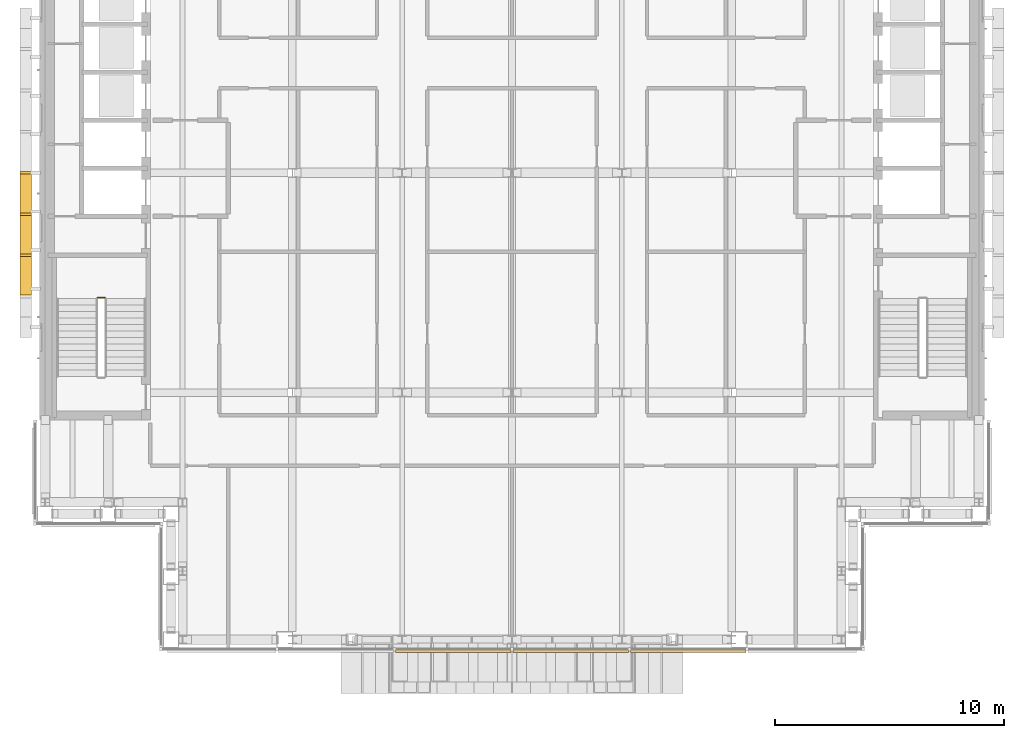
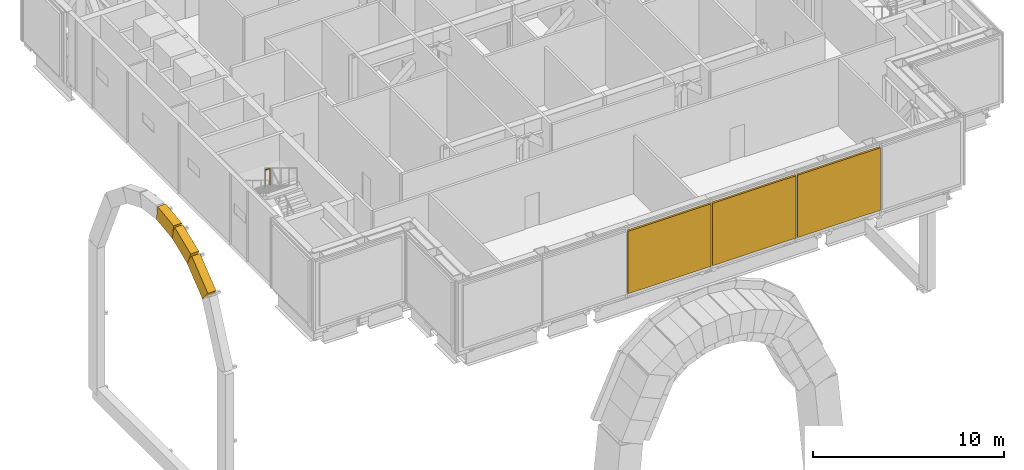
# One storey, part 18 of 26: 6 coverings, 1 railing.
"""IFC4 building model written with IfcOpenShell, lengths in metres."""

import ifcopenshell
import ifcopenshell.guid

model = None  # the IFC model being written
_history = None  # IfcOwnerHistory: only IFC2X3 demands one
_inside = {}  # id of a spatial element -> (the spatial element, [elements in it])
_under = {}  # id of a project, library or spatial element -> (it, [spatial elements below it])
_declared = {}  # id of a project -> (the project, [libraries it declares])
_typed = {}  # id of a type object -> (the type object, [elements of that type])
_made_of = {}  # id of a material, layer set ... -> (it, [elements and type objects made of it])


def new_model(schema):
    """Start an empty IFC model of exactly this schema.

    Asked for "IFC4X3", IfcOpenShell would pick the latest addendum, in which some entities
    have other attributes; the version numbers below select the first issue.
    IFC2X3 requires an IfcOwnerHistory on every rooted entity: one is made here for all.
    """
    global model, _history
    if schema == "IFC4X3":
        model = ifcopenshell.file(schema_version=(4, 3, 0, 0))
    else:
        model = ifcopenshell.file(schema=schema)
    _inside.clear()
    _under.clear()
    _declared.clear()
    _typed.clear()
    _made_of.clear()
    _history = None
    if model.schema == "IFC2X3":
        org = make("IfcOrganization", Name="unknown")
        user = make(
            "IfcPersonAndOrganization",
            ThePerson=make("IfcPerson", FamilyName="unknown"),
            TheOrganization=org,
        )
        app = make(
            "IfcApplication",
            ApplicationDeveloper=org,
            Version="unknown",
            ApplicationFullName="unknown",
            ApplicationIdentifier="unknown",
        )
        _history = make(
            "IfcOwnerHistory",
            OwningUser=user,
            OwningApplication=app,
            ChangeAction="ADDED",
            CreationDate=0,
        )
    return model


def make(cls, **values):
    """One entity of the class cls with the attributes given. An attribute that is None is left unset."""
    return model.create_entity(
        cls, **{name: value for name, value in values.items() if value is not None}
    )


def rooted(cls, **values):
    """An entity with a GlobalId (a new one), such as an element, a storey or a relation."""
    return make(cls, GlobalId=ifcopenshell.guid.new(), OwnerHistory=_history, **values)


def si_unit(unit_type, name, prefix=None):
    """IfcSIUnit, for example si_unit("LENGTHUNIT", "METRE", prefix="MILLI")."""
    return make("IfcSIUnit", UnitType=unit_type, Prefix=prefix, Name=name)


def assignment(units):
    """IfcUnitAssignment: the units of a project."""
    return None if units is None else make("IfcUnitAssignment", Units=units)


def point(xyz):
    """IfcCartesianPoint."""
    return None if xyz is None else make("IfcCartesianPoint", Coordinates=xyz)


def direction(xyz):
    """IfcDirection."""
    return None if xyz is None else make("IfcDirection", DirectionRatios=xyz)


def frame(location, z_axis=None, x_axis=None):
    """IfcAxis2Placement3D, a coordinate frame: its origin and axes. An axis left out is left unset."""
    return make(
        "IfcAxis2Placement3D",
        Location=point(location),
        Axis=direction(z_axis),
        RefDirection=direction(x_axis),
    )


def frame_2d(location, x_axis=None):
    """IfcAxis2Placement2D, a coordinate frame in the plane: its origin and x axis."""
    return make(
        "IfcAxis2Placement2D", Location=point(location), RefDirection=direction(x_axis)
    )


def origin():
    """The frame at (0, 0, 0) with its axes left unset."""
    return frame((0.0, 0.0, 0.0))


def origin_2d():
    """The frame at (0, 0) in the plane with its x axis left unset."""
    return frame_2d((0.0, 0.0))


def place(relative_to, where):
    """IfcLocalPlacement: puts the frame where relative to a parent placement (None: the world)."""
    return make(
        "IfcLocalPlacement", PlacementRelTo=relative_to, RelativePlacement=where
    )


def context(
    kind, dimensions, precision=None, world=None, true_north=None, identifier=None
):
    """IfcGeometricRepresentationContext, for example the 3D "Model" context."""
    return make(
        "IfcGeometricRepresentationContext",
        ContextIdentifier=identifier,
        ContextType=kind,
        CoordinateSpaceDimension=dimensions,
        Precision=precision,
        WorldCoordinateSystem=world,
        TrueNorth=true_north,
    )


def subcontext(parent, identifier, kind, view, scale=None):
    """IfcGeometricRepresentationSubContext, for example "Body" below "Model"."""
    return make(
        "IfcGeometricRepresentationSubContext",
        ContextIdentifier=identifier,
        ContextType=kind,
        ParentContext=parent,
        TargetScale=scale,
        TargetView=view,
    )


def project(units=None, contexts=None):
    """IfcProject with its units and contexts."""
    return rooted(
        "IfcProject",
        Name="project",
        RepresentationContexts=contexts,
        UnitsInContext=assignment(units),
    )


def spatial(cls, under=None, at=None, **own):
    """A site, building, storey or space (cls), placed at a placement, below another one or the project."""
    s = rooted(cls, ObjectPlacement=at, **own)
    if under is not None:
        _under.setdefault(under.id(), (under, []))[1].append(s)
    return s


def profile(cls, at=None, kind="AREA", **sizes):
    """A parametric profile (cls). Its sizes go by their IFC names, for example OverallWidth=200.0."""
    return make(cls, ProfileType=kind, Position=at, **sizes)


def rectangle(**sizes):
    """IfcRectangleProfileDef."""
    return profile("IfcRectangleProfileDef", **sizes)


def circle(**sizes):
    """IfcCircleProfileDef."""
    return profile("IfcCircleProfileDef", **sizes)


def extrude(swept, where, along, depth):
    """IfcExtrudedAreaSolid: the profile swept, set in the frame where, extruded along a direction by depth."""
    return make(
        "IfcExtrudedAreaSolid",
        SweptArea=swept,
        Position=where,
        ExtrudedDirection=direction(along),
        Depth=depth,
    )


def shape(context_of_items, identifier, shape_type, items):
    """IfcShapeRepresentation: the items that make up one representation, for example the "Body"."""
    return make(
        "IfcShapeRepresentation",
        ContextOfItems=context_of_items,
        RepresentationIdentifier=identifier,
        RepresentationType=shape_type,
        Items=items,
    )


def material(Name=None, Category=None):
    """IfcMaterial."""
    return make("IfcMaterial", Name=Name, Category=Category)


def material_profile(
    of_material, cross_section, Name=None, Category=None, Priority=None
):
    """IfcMaterialProfile: a cross section and its material."""
    return make(
        "IfcMaterialProfile",
        Name=Name,
        Material=of_material,
        Profile=cross_section,
        Priority=Priority,
        Category=Category,
    )


def profile_set(profiles, Name=None, composite=None):
    """IfcMaterialProfileSet."""
    return make(
        "IfcMaterialProfileSet",
        Name=Name,
        MaterialProfiles=profiles,
        CompositeProfile=composite,
    )


def made_of(thing, what):
    """Note that an element or type object is made of a material, layer set ...; save() writes the relation."""
    if what is not None:
        _made_of.setdefault(what.id(), (what, []))[1].append(thing)
    return thing


def type_object(cls, material=None, **own):
    """A type object (cls), such as IfcWallType, which elements share."""
    return made_of(rooted(cls, **own), material)


def element(
    cls,
    number,
    at=None,
    inside=None,
    cuts=None,
    type_object=None,
    material=None,
    context=None,
    identifier="Body",
    shape_type=None,
    held_by="IfcProductDefinitionShape",
    body=None,
    shapes=None,
    **own,
):
    """One element of the class cls, such as IfcWall. Its Tag is "e" and its number.

    at: its placement. inside: the storey or other place that contains it. cuts: it is an
    opening in that element (IfcRelVoidsElement). A single representation is given by context,
    identifier, shape_type and body (its items); several are given by shapes. held_by: the class
    of the entity that holds the representations. save() writes the other relations.
    """
    e = rooted(cls, Tag="e%d" % number, ObjectPlacement=at, **own)
    if body is not None:
        shapes = [shape(context, identifier, shape_type, body)]
    if shapes is not None:
        e.Representation = make(held_by, Representations=shapes)
    if inside is not None:
        _inside.setdefault(inside.id(), (inside, []))[1].append(e)
    if cuts is not None:
        rooted(
            "IfcRelVoidsElement", RelatingBuildingElement=cuts, RelatedOpeningElement=e
        )
    if type_object is not None:
        _typed.setdefault(type_object.id(), (type_object, []))[1].append(e)
    return made_of(e, material)


def aggregate(whole, parts):
    """IfcRelAggregates: a whole, such as a stair, and the parts it consists of."""
    return rooted("IfcRelAggregates", RelatingObject=whole, RelatedObjects=parts)


def save(model, path):
    """Write the relations noted so far, then the file.

    IfcRelAggregates (storeys below a building ...), IfcRelContainedInSpatialStructure (elements
    in a storey), IfcRelDefinesByType, IfcRelAssociatesMaterial and IfcRelDeclares: one each for
    every whole, place, type object, material and project.
    """
    for whole, parts in _under.values():
        aggregate(whole, parts)
    for where, things in _inside.values():
        rooted(
            "IfcRelContainedInSpatialStructure",
            RelatedElements=things,
            RelatingStructure=where,
        )
    for kind, things in _typed.values():
        rooted("IfcRelDefinesByType", RelatedObjects=things, RelatingType=kind)
    for what, things in _made_of.values():
        rooted("IfcRelAssociatesMaterial", RelatedObjects=things, RelatingMaterial=what)
    for by, libraries in _declared.values():
        rooted("IfcRelDeclares", RelatingContext=by, RelatedDefinitions=libraries)
    model.write(path)


model = new_model("IFC4")

# Units and contexts
model_context = context("Model", 3, precision=1e-05, world=origin(), true_north=direction((0.0, 1.0)))
body_context = subcontext(model_context, "Body", "Model", "MODEL_VIEW")
ifc_project = project(units=[si_unit("LENGTHUNIT", "METRE"), si_unit("AREAUNIT", "SQUARE_METRE"), si_unit("VOLUMEUNIT", "CUBIC_METRE"), si_unit("PLANEANGLEUNIT", "RADIAN"), si_unit("MASSUNIT", "GRAM", prefix="KILO")], contexts=[model_context])

# Site, building, storey
site_placement = place(None, origin())
site = spatial("IfcSite", under=ifc_project, at=site_placement, CompositionType="ELEMENT")
building_placement = place(site_placement, origin())
building = spatial("IfcBuilding", under=site, at=building_placement, Name="Cobrizo Arcos Hotel Tower", CompositionType="ELEMENT")
storey_placement = place(building_placement, frame((0.0, 0.0, 236.5)))
storey = spatial("IfcBuildingStorey", under=building, at=storey_placement, Name="L62", CompositionType="ELEMENT", Elevation=236.5)

# Coverings
ifc_material_1 = material(Name="Aluminium 6063-T6 anodised pale", Category="aluminium")
ifc_material_profile = material_profile(ifc_material_1, rectangle(XDim=0.5, YDim=0.89990234375, at=origin_2d()), Name="AF-2 core arch rim 500x900")
ifc_profile_set = profile_set([ifc_material_profile], Name="Aluminium 6063-T6 anodised pale")
covering_type_1 = type_object("IfcCoveringType", Name="AF-2 core arch rim 500x900", PredefinedType="CLADDING", material=ifc_profile_set)
covering_1_placement = place(storey_placement, frame((-21.25, -5.061279296875, -3.802490234375), z_axis=(0.0, 0.777399424026, 0.6290072619), x_axis=(-1.0, 0.0, 0.0)))
element("IfcCovering", 1, at=covering_1_placement, inside=storey, type_object=covering_type_1, Name="Arch rim C W face", PredefinedType="CLADDING", context=body_context, shape_type="SweptSolid", body=[
    extrude(rectangle(XDim=0.5, YDim=0.89990234375, at=origin_2d()), origin(), (0.0, 0.0, 1.0), 2.170166015625),
])
covering_2_placement = place(storey_placement, frame((-21.25, -3.374267578125, -2.4375), z_axis=(0.0, 0.926634507645, 0.375963414764), x_axis=(-1.0, 0.0, 0.0)))
element("IfcCovering", 2, at=covering_2_placement, inside=storey, type_object=covering_type_1, Name="Arch rim C W face", PredefinedType="CLADDING", context=body_context, shape_type="SweptSolid", body=[
    extrude(rectangle(XDim=0.5, YDim=0.89990234375, at=origin_2d()), origin(), (0.0, 0.0, 1.0), 1.82080078125),
])
covering_3_placement = place(storey_placement, frame((-21.25, -1.68701171875, -1.7529296875), z_axis=(0.0, 0.992131403305, 0.125200952776), x_axis=(-1.0, 0.0, 0.0)))
element("IfcCovering", 3, at=covering_3_placement, inside=storey, type_object=covering_type_1, Name="Arch rim C W face", PredefinedType="CLADDING", context=body_context, shape_type="SweptSolid", body=[
    extrude(rectangle(XDim=0.5, YDim=0.89990234375, at=origin_2d()), origin(), (0.0, 0.0, 1.0), 1.700439453125),
])
ifc_material_2 = material(Name="Aluminium 6063-T6 anodised bronze", Category="aluminium")
covering_type_2 = type_object("IfcCoveringType", Name="LV-1 plant louvre band", PredefinedType="CLADDING", material=ifc_material_2)
for number, where, z_axis, x_axis, name in (
    (4, (-2.566650390625, -20.905029296875, 0.25), (0.0, 0.0, 1.0), (1.0, 0.0, 0.0), "louvre band 1990"),
    (5, (2.566650390625, -20.905029296875, 0.25), (0.0, 0.0, 1.0), (1.0, 0.0, 0.0), "louvre band 1991"),
    (6, (7.699951171875, -20.905029296875, 0.25), (0.0, 0.0, 1.0), (1.0, 0.0, 0.0), "louvre band 1992"),
):
    element("IfcCovering", number, at=place(storey_placement, frame(where, z_axis=z_axis, x_axis=x_axis)), inside=storey, type_object=covering_type_2, Name=name, PredefinedType="CLADDING", context=body_context, shape_type="SweptSolid", body=[
        extrude(rectangle(XDim=5.033447265625, YDim=0.1201171875, at=origin_2d()), origin(), (0.0, 0.0, 1.0), 4.0),
    ])

# Railing
ifc_material_3 = material(Name="Stainless steel railing", Category="steel")
railing_type = type_object("IfcRailingType", Name="Stair guard 1100", PredefinedType="GUARDRAIL", material=ifc_material_3)
railing_placement = place(storey_placement, frame((-17.800048828125, -5.449951171875, 2.25)))
element("IfcRailing", 7, at=railing_placement, inside=storey, type_object=railing_type, Name="L62 ST-W stair guard 2", PredefinedType="GUARDRAIL", context=body_context, shape_type="SweptSolid", body=[
    extrude(circle(Radius=0.02392578125, at=origin_2d()), frame((0.0, 0.0, 1.076171875), z_axis=(-1.0, 0.0, 0.0), x_axis=(0.0, -1.0, 0.0)), (0.0, 0.0, 1.0), 0.300048828125),
    extrude(circle(Radius=0.02099609375, at=origin_2d()), origin(), (0.0, 0.0, 1.0), 1.052001953125),
    extrude(circle(Radius=0.02099609375, at=origin_2d()), frame((-0.300048828125, 0.0, 0.0)), (0.0, 0.0, 1.0), 1.052001953125),
])

save(model, "model.ifc")
